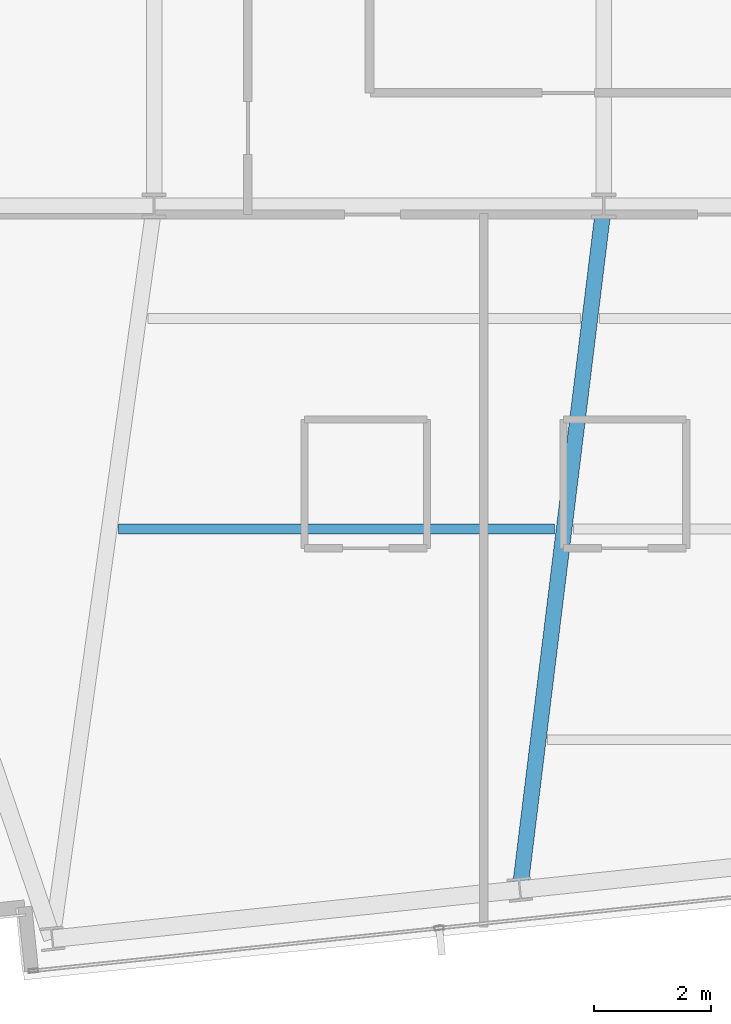
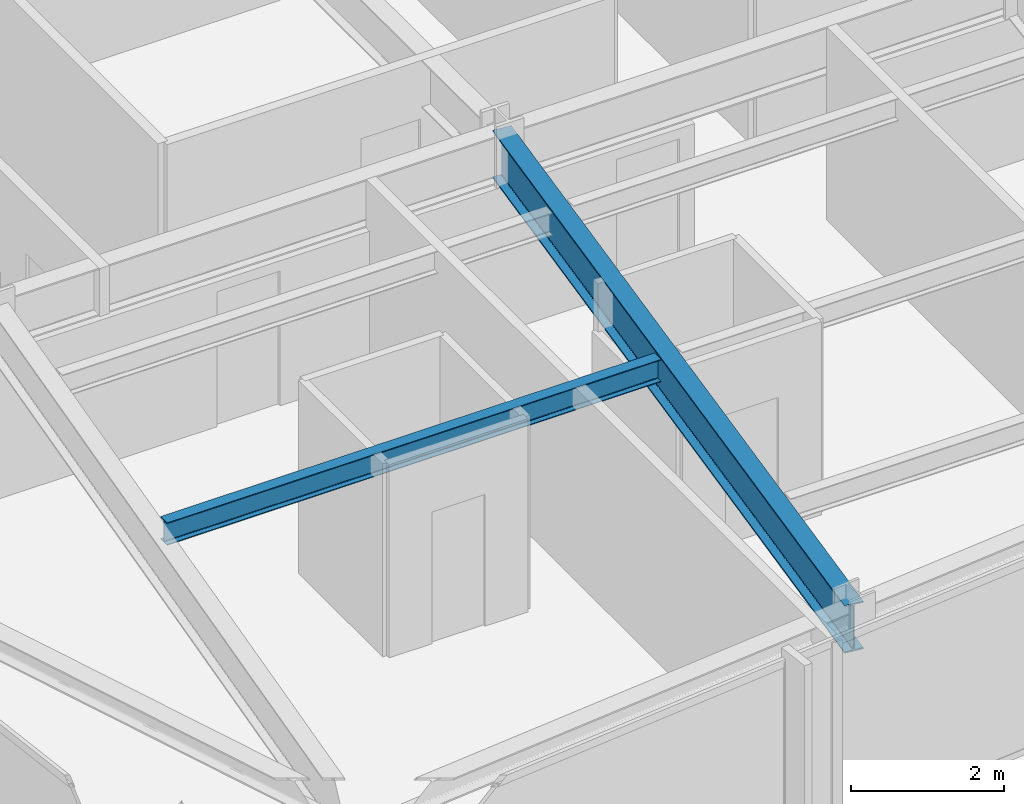
# One storey, part 4 of 33: 2 beams.
"""IFC4 building model written with IfcOpenShell, lengths in metres."""

from ifc_helpers import new_model, si_unit, direction, frame, origin, origin_2d, place, context, subcontext, project, spatial, i_section, extrude, material, material_profile, profile_set, type_object, element, save


model = new_model("IFC4")

# Units and contexts
model_context = context("Model", 3, precision=1e-05, world=origin(), true_north=direction((0.0, 1.0)))
body_context = subcontext(model_context, "Body", "Model", "MODEL_VIEW")
ifc_project = project(units=[si_unit("LENGTHUNIT", "METRE"), si_unit("AREAUNIT", "SQUARE_METRE"), si_unit("VOLUMEUNIT", "CUBIC_METRE"), si_unit("PLANEANGLEUNIT", "RADIAN"), si_unit("MASSUNIT", "GRAM", prefix="KILO")], contexts=[model_context])

# Site, building, storey
site_placement = place(None, origin())
site = spatial("IfcSite", under=ifc_project, at=site_placement, CompositionType="ELEMENT")
building_placement = place(site_placement, origin())
building = spatial("IfcBuilding", under=site, at=building_placement, Name="Yelkora Congress Tower", CompositionType="ELEMENT")
storey_placement = place(building_placement, frame((0.0, 0.0, 237.5)))
storey = spatial("IfcBuildingStorey", under=building, at=storey_placement, Name="L66", CompositionType="ELEMENT", Elevation=237.5)

# Beams
ifc_material = material(Name="Steel S355J2", Category="steel")
ifc_material_profile_1 = material_profile(ifc_material, i_section(OverallWidth=0.26708984375, OverallDepth=0.761962890625, WebThickness=0.014404296875, FlangeThickness=0.021484375, FilletRadius=0.01708984375, at=origin_2d()), Name="IPE 750x173")
ifc_profile_set_1 = profile_set([ifc_material_profile_1], Name="Steel S355J2")
beam_type_1 = type_object("IfcBeamType", Name="BM-GIRD-IPE750", PredefinedType="BEAM", material=ifc_profile_set_1)
beam_1_placement = place(storey_placement, frame((29.288330078125, 13.518310546875, 2.698974609375), z_axis=(0.121644630436, 0.992573717104, 0.0), x_axis=(-0.992573717104, 0.121644630436, 0.0)))
element("IfcBeam", 1, at=beam_1_placement, inside=storey, type_object=beam_type_1, Name="L66 Primary Frame Girder S02", PredefinedType="BEAM", context=body_context, shape_type="SweptSolid", body=[
    extrude(i_section(OverallWidth=0.26708984375, OverallDepth=0.761962890625, WebThickness=0.014404296875, FlangeThickness=0.021484375, FilletRadius=0.01708984375, at=origin_2d()), origin(), (0.0, 0.0, 1.0), 11.76904296875),
])
ifc_material_profile_2 = material_profile(ifc_material, i_section(OverallWidth=0.169921875, OverallDepth=0.360107421875, WebThickness=0.008056640625, FlangeThickness=0.0126953125, FilletRadius=0.01806640625, at=origin_2d()), Name="IPE 360")
ifc_profile_set_2 = profile_set([ifc_material_profile_2], Name="Steel S355J2")
beam_type_2 = type_object("IfcBeamType", Name="BM-JOIST-IPE360", PredefinedType="JOIST", material=ifc_profile_set_2)
beam_2_placement = place(storey_placement, frame((22.432373046875, 19.678466796875, 2.89990234375), z_axis=(1.0, 0.0, 0.0), x_axis=(0.0, 1.0, 0.0)))
element("IfcBeam", 2, at=beam_2_placement, inside=storey, type_object=beam_type_2, Name="L66 Composite Floor Joist 3", PredefinedType="JOIST", context=body_context, shape_type="SweptSolid", body=[
    extrude(i_section(OverallWidth=0.169921875, OverallDepth=0.360107421875, WebThickness=0.008056640625, FlangeThickness=0.0126953125, FilletRadius=0.01806640625, at=origin_2d()), origin(), (0.0, 0.0, 1.0), 7.450927734375),
])

save(model, "model.ifc")
